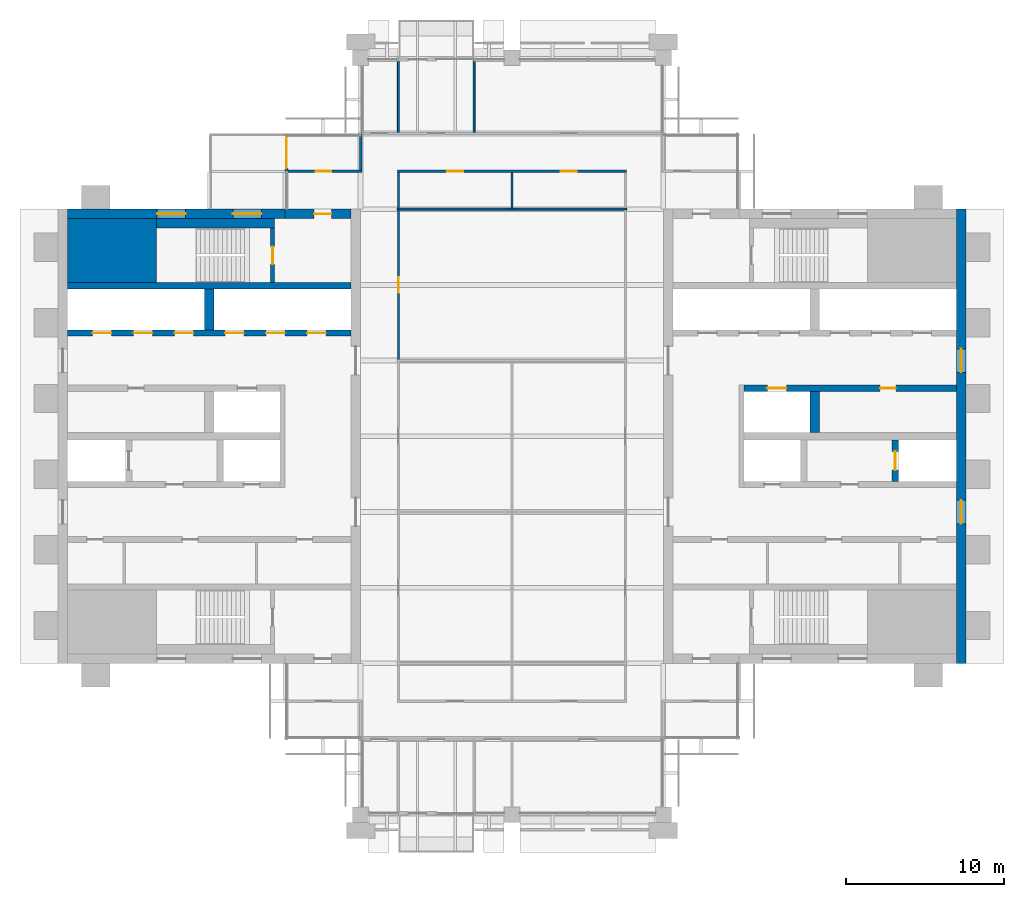
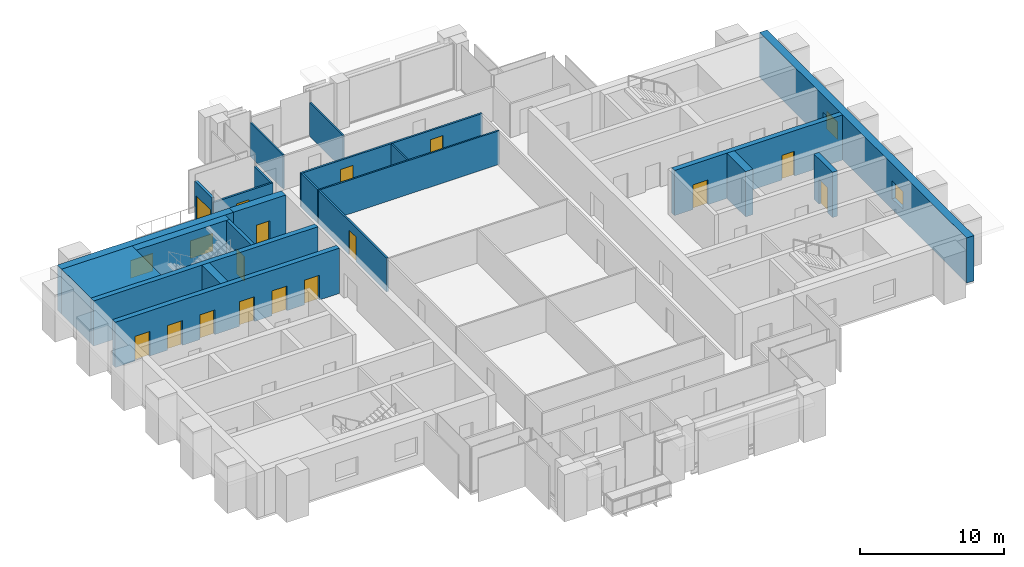
# One storey, part 10 of 14: 22 walls, 16 doors, 4 windows, 20 openings.
"""IFC4 building model written with IfcOpenShell, lengths in metres."""

import ifcopenshell
import ifcopenshell.guid

model = None  # the IFC model being written
_history = None  # IfcOwnerHistory: only IFC2X3 demands one
_inside = {}  # id of a spatial element -> (the spatial element, [elements in it])
_under = {}  # id of a project, library or spatial element -> (it, [spatial elements below it])
_declared = {}  # id of a project -> (the project, [libraries it declares])
_typed = {}  # id of a type object -> (the type object, [elements of that type])
_made_of = {}  # id of a material, layer set ... -> (it, [elements and type objects made of it])


def new_model(schema):
    """Start an empty IFC model of exactly this schema.

    Asked for "IFC4X3", IfcOpenShell would pick the latest addendum, in which some entities
    have other attributes; the version numbers below select the first issue.
    IFC2X3 requires an IfcOwnerHistory on every rooted entity: one is made here for all.
    """
    global model, _history
    if schema == "IFC4X3":
        model = ifcopenshell.file(schema_version=(4, 3, 0, 0))
    else:
        model = ifcopenshell.file(schema=schema)
    _inside.clear()
    _under.clear()
    _declared.clear()
    _typed.clear()
    _made_of.clear()
    _history = None
    if model.schema == "IFC2X3":
        org = make("IfcOrganization", Name="unknown")
        user = make(
            "IfcPersonAndOrganization",
            ThePerson=make("IfcPerson", FamilyName="unknown"),
            TheOrganization=org,
        )
        app = make(
            "IfcApplication",
            ApplicationDeveloper=org,
            Version="unknown",
            ApplicationFullName="unknown",
            ApplicationIdentifier="unknown",
        )
        _history = make(
            "IfcOwnerHistory",
            OwningUser=user,
            OwningApplication=app,
            ChangeAction="ADDED",
            CreationDate=0,
        )
    return model


def make(cls, **values):
    """One entity of the class cls with the attributes given. An attribute that is None is left unset."""
    return model.create_entity(
        cls, **{name: value for name, value in values.items() if value is not None}
    )


def rooted(cls, **values):
    """An entity with a GlobalId (a new one), such as an element, a storey or a relation."""
    return make(cls, GlobalId=ifcopenshell.guid.new(), OwnerHistory=_history, **values)


def si_unit(unit_type, name, prefix=None):
    """IfcSIUnit, for example si_unit("LENGTHUNIT", "METRE", prefix="MILLI")."""
    return make("IfcSIUnit", UnitType=unit_type, Prefix=prefix, Name=name)


def assignment(units):
    """IfcUnitAssignment: the units of a project."""
    return None if units is None else make("IfcUnitAssignment", Units=units)


def point(xyz):
    """IfcCartesianPoint."""
    return None if xyz is None else make("IfcCartesianPoint", Coordinates=xyz)


def direction(xyz):
    """IfcDirection."""
    return None if xyz is None else make("IfcDirection", DirectionRatios=xyz)


def frame(location, z_axis=None, x_axis=None):
    """IfcAxis2Placement3D, a coordinate frame: its origin and axes. An axis left out is left unset."""
    return make(
        "IfcAxis2Placement3D",
        Location=point(location),
        Axis=direction(z_axis),
        RefDirection=direction(x_axis),
    )


def frame_2d(location, x_axis=None):
    """IfcAxis2Placement2D, a coordinate frame in the plane: its origin and x axis."""
    return make(
        "IfcAxis2Placement2D", Location=point(location), RefDirection=direction(x_axis)
    )


def origin():
    """The frame at (0, 0, 0) with its axes left unset."""
    return frame((0.0, 0.0, 0.0))


def place(relative_to, where):
    """IfcLocalPlacement: puts the frame where relative to a parent placement (None: the world)."""
    return make(
        "IfcLocalPlacement", PlacementRelTo=relative_to, RelativePlacement=where
    )


def context(
    kind, dimensions, precision=None, world=None, true_north=None, identifier=None
):
    """IfcGeometricRepresentationContext, for example the 3D "Model" context."""
    return make(
        "IfcGeometricRepresentationContext",
        ContextIdentifier=identifier,
        ContextType=kind,
        CoordinateSpaceDimension=dimensions,
        Precision=precision,
        WorldCoordinateSystem=world,
        TrueNorth=true_north,
    )


def subcontext(parent, identifier, kind, view, scale=None):
    """IfcGeometricRepresentationSubContext, for example "Body" below "Model"."""
    return make(
        "IfcGeometricRepresentationSubContext",
        ContextIdentifier=identifier,
        ContextType=kind,
        ParentContext=parent,
        TargetScale=scale,
        TargetView=view,
    )


def project(units=None, contexts=None):
    """IfcProject with its units and contexts."""
    return rooted(
        "IfcProject",
        Name="project",
        RepresentationContexts=contexts,
        UnitsInContext=assignment(units),
    )


def spatial(cls, under=None, at=None, **own):
    """A site, building, storey or space (cls), placed at a placement, below another one or the project."""
    s = rooted(cls, ObjectPlacement=at, **own)
    if under is not None:
        _under.setdefault(under.id(), (under, []))[1].append(s)
    return s


def profile(cls, at=None, kind="AREA", **sizes):
    """A parametric profile (cls). Its sizes go by their IFC names, for example OverallWidth=200.0."""
    return make(cls, ProfileType=kind, Position=at, **sizes)


def rectangle(**sizes):
    """IfcRectangleProfileDef."""
    return profile("IfcRectangleProfileDef", **sizes)


def extrude(swept, where, along, depth):
    """IfcExtrudedAreaSolid: the profile swept, set in the frame where, extruded along a direction by depth."""
    return make(
        "IfcExtrudedAreaSolid",
        SweptArea=swept,
        Position=where,
        ExtrudedDirection=direction(along),
        Depth=depth,
    )


def shape(context_of_items, identifier, shape_type, items):
    """IfcShapeRepresentation: the items that make up one representation, for example the "Body"."""
    return make(
        "IfcShapeRepresentation",
        ContextOfItems=context_of_items,
        RepresentationIdentifier=identifier,
        RepresentationType=shape_type,
        Items=items,
    )


def material(Name=None, Category=None):
    """IfcMaterial."""
    return make("IfcMaterial", Name=Name, Category=Category)


def layer(
    of_material, thickness, ventilated=None, Name=None, Category=None, Priority=None
):
    """IfcMaterialLayer: one layer of a wall or slab, of a material (None: an air gap)."""
    return make(
        "IfcMaterialLayer",
        Material=of_material,
        LayerThickness=thickness,
        IsVentilated=ventilated,
        Name=Name,
        Category=Category,
        Priority=Priority,
    )


def layer_set(layers, Name=None):
    """IfcMaterialLayerSet."""
    return make("IfcMaterialLayerSet", MaterialLayers=layers, LayerSetName=Name)


def made_of(thing, what):
    """Note that an element or type object is made of a material, layer set ...; save() writes the relation."""
    if what is not None:
        _made_of.setdefault(what.id(), (what, []))[1].append(thing)
    return thing


def type_object(cls, material=None, **own):
    """A type object (cls), such as IfcWallType, which elements share."""
    return made_of(rooted(cls, **own), material)


def element(
    cls,
    number,
    at=None,
    inside=None,
    cuts=None,
    type_object=None,
    material=None,
    context=None,
    identifier="Body",
    shape_type=None,
    held_by="IfcProductDefinitionShape",
    body=None,
    shapes=None,
    **own,
):
    """One element of the class cls, such as IfcWall. Its Tag is "e" and its number.

    at: its placement. inside: the storey or other place that contains it. cuts: it is an
    opening in that element (IfcRelVoidsElement). A single representation is given by context,
    identifier, shape_type and body (its items); several are given by shapes. held_by: the class
    of the entity that holds the representations. save() writes the other relations.
    """
    e = rooted(cls, Tag="e%d" % number, ObjectPlacement=at, **own)
    if body is not None:
        shapes = [shape(context, identifier, shape_type, body)]
    if shapes is not None:
        e.Representation = make(held_by, Representations=shapes)
    if inside is not None:
        _inside.setdefault(inside.id(), (inside, []))[1].append(e)
    if cuts is not None:
        rooted(
            "IfcRelVoidsElement", RelatingBuildingElement=cuts, RelatedOpeningElement=e
        )
    if type_object is not None:
        _typed.setdefault(type_object.id(), (type_object, []))[1].append(e)
    return made_of(e, material)


def fill(opening, filler):
    """IfcRelFillsElement: the door or window that sits in an opening."""
    return rooted(
        "IfcRelFillsElement",
        RelatingOpeningElement=opening,
        RelatedBuildingElement=filler,
    )


def aggregate(whole, parts):
    """IfcRelAggregates: a whole, such as a stair, and the parts it consists of."""
    return rooted("IfcRelAggregates", RelatingObject=whole, RelatedObjects=parts)


def save(model, path):
    """Write the relations noted so far, then the file.

    IfcRelAggregates (storeys below a building ...), IfcRelContainedInSpatialStructure (elements
    in a storey), IfcRelDefinesByType, IfcRelAssociatesMaterial and IfcRelDeclares: one each for
    every whole, place, type object, material and project.
    """
    for whole, parts in _under.values():
        aggregate(whole, parts)
    for where, things in _inside.values():
        rooted(
            "IfcRelContainedInSpatialStructure",
            RelatedElements=things,
            RelatingStructure=where,
        )
    for kind, things in _typed.values():
        rooted("IfcRelDefinesByType", RelatedObjects=things, RelatingType=kind)
    for what, things in _made_of.values():
        rooted("IfcRelAssociatesMaterial", RelatedObjects=things, RelatingMaterial=what)
    for by, libraries in _declared.values():
        rooted("IfcRelDeclares", RelatingContext=by, RelatedDefinitions=libraries)
    model.write(path)


model = new_model("IFC4")

# Units and contexts
model_context = context("Model", 3, precision=1e-05, world=origin(), true_north=direction((0.0, 1.0)))
body_context = subcontext(model_context, "Body", "Model", "MODEL_VIEW")
ifc_project = project(units=[si_unit("LENGTHUNIT", "METRE"), si_unit("AREAUNIT", "SQUARE_METRE"), si_unit("VOLUMEUNIT", "CUBIC_METRE"), si_unit("PLANEANGLEUNIT", "RADIAN"), si_unit("MASSUNIT", "GRAM", prefix="KILO")], contexts=[model_context])

# Site, building, storey
site_placement = place(None, origin())
site = spatial("IfcSite", under=ifc_project, at=site_placement, CompositionType="ELEMENT")
building_placement = place(site_placement, origin())
building = spatial("IfcBuilding", under=site, at=building_placement, Name="Baori Bourse Tower", CompositionType="ELEMENT")
storey_placement = place(building_placement, frame((0.0, 0.0, 290.300048828125)))
storey = spatial("IfcBuildingStorey", under=building, at=storey_placement, Name="L63", CompositionType="ELEMENT", Elevation=290.300048828125)

# Wall
ifc_material_1 = material(Name="Concrete f'c 40 MPa", Category="concrete")
wall_type_1 = type_object("IfcWallType", Name="Core corner block f'c 40", PredefinedType="SHEAR", material=ifc_material_1)
wall_1_placement = place(storey_placement, frame((0.60009765625, 35.77490234375, 0.0), z_axis=(0.0, 0.0, 1.0), x_axis=(1.0, 0.0, 0.0)))
element("IfcWall", 1, at=wall_1_placement, inside=storey, type_object=wall_type_1, Name="Core wall W22", PredefinedType="SHEAR", context=body_context, shape_type="SweptSolid", body=[
    extrude(rectangle(XDim=5.64990234375, YDim=4.050048828125, at=frame_2d((2.824951171875, 0.0))), origin(), (0.0, 0.0, 1.0), 3.83984375),
])

# Wall, openings, windows
ifc_material_2 = material(Name="Concrete f'c 40 MPa", Category="concrete")
ifc_layer_1 = layer(ifc_material_2, 0.60009765625)
ifc_layer_set_1 = layer_set([ifc_layer_1], Name="Core wall 600 f'c 40")
wall_type_2 = type_object("IfcWallType", Name="Core wall 600 f'c 40", PredefinedType="SHEAR", material=ifc_layer_set_1)
wall_2_placement = place(storey_placement, frame((0.60009765625, 38.10009765625, 0.0), z_axis=(0.0, 0.0, 1.0), x_axis=(1.0, 0.0, 0.0)))
wall_2 = element("IfcWall", 2, at=wall_2_placement, inside=storey, type_object=wall_type_2, Name="Core wall W25", PredefinedType="SHEAR", context=body_context, shape_type="SweptSolid", body=[
    extrude(rectangle(XDim=13.7998046875, YDim=0.60009765625, at=frame_2d((6.89990234375, 0.0))), origin(), (0.0, 0.0, 1.0), 3.83984375),
])
opening_1_placement = place(wall_2_placement, frame((5.699951171875, 0.0, 0.89990234375)))
opening_1 = element("IfcOpeningElement", 3, at=opening_1_placement, cuts=wall_2, Name="Opening L63-KW105", PredefinedType="OPENING", context=body_context, shape_type="SweptSolid", body=[
    extrude(rectangle(XDim=1.800048828125, YDim=1.5, at=frame_2d((0.89990234375, 0.75))), frame((0.0, 0.31005859375, 0.0), z_axis=(0.0, -1.0, 0.0), x_axis=(1.0, 0.0, 0.0)), (0.0, 0.0, 1.0), 0.6201171875),
])
opening_2_placement = place(wall_2_placement, frame((10.5, 0.0, 0.89990234375)))
opening_2 = element("IfcOpeningElement", 4, at=opening_2_placement, cuts=wall_2, Name="Opening L63-KW106", PredefinedType="OPENING", context=body_context, shape_type="SweptSolid", body=[
    extrude(rectangle(XDim=1.800048828125, YDim=1.5, at=frame_2d((0.89990234375, 0.75))), frame((0.0, 0.31005859375, 0.0), z_axis=(0.0, -1.0, 0.0), x_axis=(1.0, 0.0, 0.0)), (0.0, 0.0, 1.0), 0.6201171875),
])
ifc_material_3 = material(Name="Pale anodised aluminium", Category="aluminium")
window_type_1 = type_object("IfcWindowType", Name="Stair window 1800 x 1500", PartitioningType="SINGLE_PANEL", PredefinedType="WINDOW", material=ifc_material_3)
window_1_placement = place(opening_1_placement, origin())
window_1 = element("IfcWindow", 5, at=window_1_placement, inside=storey, type_object=window_type_1, Name="Stair window W L63 5", OverallHeight=1.5, OverallWidth=1.800048828125, PartitioningType="SINGLE_PANEL", PredefinedType="WINDOW", context=body_context, shape_type="SweptSolid", body=[
    extrude(rectangle(XDim=1.800048828125, YDim=1.5, at=frame_2d((0.89990234375, 0.75))), frame((0.0, 0.030029296875, 0.0), z_axis=(0.0, -1.0, 0.0), x_axis=(1.0, 0.0, 0.0)), (0.0, 0.0, 1.0), 0.06005859375),
])
fill(opening_1, window_1)
window_2_placement = place(opening_2_placement, origin())
window_2 = element("IfcWindow", 6, at=window_2_placement, inside=storey, type_object=window_type_1, Name="Stair window W L63 6", OverallHeight=1.5, OverallWidth=1.800048828125, PartitioningType="SINGLE_PANEL", PredefinedType="WINDOW", context=body_context, shape_type="SweptSolid", body=[
    extrude(rectangle(XDim=1.800048828125, YDim=1.5, at=frame_2d((0.89990234375, 0.75))), frame((0.0, 0.030029296875, 0.0), z_axis=(0.0, -1.0, 0.0), x_axis=(1.0, 0.0, 0.0)), (0.0, 0.0, 1.0), 0.06005859375),
])
fill(opening_2, window_2)

# Wall, opening, door
wall_3_placement = place(storey_placement, frame((14.39990234375, 38.10009765625, 0.0), z_axis=(0.0, 0.0, 1.0), x_axis=(1.0, 0.0, 0.0)))
wall_3 = element("IfcWall", 7, at=wall_3_placement, inside=storey, type_object=wall_type_2, Name="Core wall W26", PredefinedType="SHEAR", context=body_context, shape_type="SweptSolid", body=[
    extrude(rectangle(XDim=4.2001953125, YDim=0.60009765625, at=frame_2d((2.10009765625, 0.0))), origin(), (0.0, 0.0, 1.0), 3.83984375),
])
opening_3_placement = place(wall_3_placement, frame((1.85009765625, 0.0, 0.0)))
opening_3 = element("IfcOpeningElement", 8, at=opening_3_placement, cuts=wall_3, Name="Opening L63-D104", PredefinedType="OPENING", context=body_context, shape_type="SweptSolid", body=[
    extrude(rectangle(XDim=1.10009765625, YDim=2.10009765625, at=frame_2d((0.550048828125, 1.050048828125))), frame((0.0, 0.31005859375, 0.0), z_axis=(0.0, -1.0, 0.0), x_axis=(1.0, 0.0, 0.0)), (0.0, 0.0, 1.0), 0.6201171875),
])
ifc_material_4 = material(Name="Painted steel door", Category="steel")
door_type_1 = type_object("IfcDoorType", Name="Stair door 1100", OperationType="SINGLE_SWING_LEFT", PredefinedType="DOOR", material=ifc_material_4)
door_1_placement = place(opening_3_placement, origin())
door_1 = element("IfcDoor", 9, at=door_1_placement, inside=storey, type_object=door_type_1, Name="Stair vestibule door B W L63", OperationType="SINGLE_SWING_LEFT", OverallHeight=2.10009765625, OverallWidth=1.10009765625, PredefinedType="DOOR", context=body_context, shape_type="SweptSolid", body=[
    extrude(rectangle(XDim=1.10009765625, YDim=2.10009765625, at=frame_2d((0.550048828125, 1.050048828125))), frame((0.0, 0.02490234375, 0.0), z_axis=(0.0, -1.0, 0.0), x_axis=(1.0, 0.0, 0.0)), (0.0, 0.0, 1.0), 0.050048828125),
])
fill(opening_3, door_1)

# Wall, openings, windows
wall_4_placement = place(storey_placement, frame((57.300048828125, 38.39990234375, 0.0), z_axis=(0.0, 0.0, 1.0), x_axis=(0.0, -1.0, 0.0)))
wall_4 = element("IfcWall", 10, at=wall_4_placement, inside=storey, type_object=wall_type_2, Name="Core wall E01", PredefinedType="SHEAR", context=body_context, shape_type="SweptSolid", body=[
    extrude(rectangle(XDim=28.7998046875, YDim=0.60009765625, at=frame_2d((14.39990234375, 0.0))), origin(), (0.0, 0.0, 1.0), 3.83984375),
])
opening_4_placement = place(wall_4_placement, frame((18.449951171875, 0.0, 0.89990234375)))
opening_4 = element("IfcOpeningElement", 11, at=opening_4_placement, cuts=wall_4, Name="Opening L63-KW201", PredefinedType="OPENING", context=body_context, shape_type="SweptSolid", body=[
    extrude(rectangle(XDim=1.5, YDim=1.5, at=frame_2d((0.75, 0.75))), frame((0.0, 0.31005859375, 0.0), z_axis=(0.0, -1.0, 0.0), x_axis=(1.0, 0.0, 0.0)), (0.0, 0.0, 1.0), 0.6201171875),
])
opening_5_placement = place(wall_4_placement, frame((8.85009765625, 0.0, 0.89990234375)))
opening_5 = element("IfcOpeningElement", 12, at=opening_5_placement, cuts=wall_4, Name="Opening L63-KW202", PredefinedType="OPENING", context=body_context, shape_type="SweptSolid", body=[
    extrude(rectangle(XDim=1.5, YDim=1.5, at=frame_2d((0.75, 0.75))), frame((0.0, 0.31005859375, 0.0), z_axis=(0.0, -1.0, 0.0), x_axis=(1.0, 0.0, 0.0)), (0.0, 0.0, 1.0), 0.6201171875),
])
ifc_material_5 = material(Name="Pale anodised aluminium", Category="aluminium")
window_type_2 = type_object("IfcWindowType", Name="Lobby window 1500 x 1500", PartitioningType="SINGLE_PANEL", PredefinedType="WINDOW", material=ifc_material_5)
window_3_placement = place(opening_4_placement, origin())
window_3 = element("IfcWindow", 13, at=window_3_placement, inside=storey, type_object=window_type_2, Name="Outer wall window E L63 1", OverallHeight=1.5, OverallWidth=1.5, PartitioningType="SINGLE_PANEL", PredefinedType="WINDOW", context=body_context, shape_type="SweptSolid", body=[
    extrude(rectangle(XDim=1.5, YDim=1.5, at=frame_2d((0.75, 0.75))), frame((0.0, 0.030029296875, 0.0), z_axis=(0.0, -1.0, 0.0), x_axis=(1.0, 0.0, 0.0)), (0.0, 0.0, 1.0), 0.06005859375),
])
fill(opening_4, window_3)
window_4_placement = place(opening_5_placement, origin())
window_4 = element("IfcWindow", 14, at=window_4_placement, inside=storey, type_object=window_type_2, Name="Outer wall window E L63 2", OverallHeight=1.5, OverallWidth=1.5, PartitioningType="SINGLE_PANEL", PredefinedType="WINDOW", context=body_context, shape_type="SweptSolid", body=[
    extrude(rectangle(XDim=1.5, YDim=1.5, at=frame_2d((0.75, 0.75))), frame((0.0, 0.030029296875, 0.0), z_axis=(0.0, -1.0, 0.0), x_axis=(1.0, 0.0, 0.0)), (0.0, 0.0, 1.0), 0.06005859375),
])
fill(opening_5, window_4)

# Wall, opening, door
ifc_material_6 = material(Name="Gypsum board partition")
ifc_layer_2 = layer(ifc_material_6, 0.14990234375)
ifc_layer_set_2 = layer_set([ifc_layer_2], Name="Corridor partition 150")
wall_type_3 = type_object("IfcWallType", Name="Corridor partition 150", PredefinedType="PARTITIONING", material=ifc_layer_set_2)
wall_5_placement = place(storey_placement, frame((14.5, 40.800048828125, 0.0), z_axis=(0.0, 0.0, 1.0), x_axis=(1.0, 0.0, 0.0)))
wall_5 = element("IfcWall", 15, at=wall_5_placement, inside=storey, type_object=wall_type_3, Name="Partition", PredefinedType="PARTITIONING", context=body_context, shape_type="SweptSolid", body=[
    extrude(rectangle(XDim=4.77490234375, YDim=0.14990234375, at=frame_2d((2.387451171875, 0.0))), origin(), (0.0, 0.0, 1.0), 2.86962890625),
])
opening_6_placement = place(wall_5_placement, frame((1.85009765625, 0.0, 0.0)))
opening_6 = element("IfcOpeningElement", 16, at=opening_6_placement, cuts=wall_5, Name="Opening L63-D09", PredefinedType="OPENING", context=body_context, shape_type="SweptSolid", body=[
    extrude(rectangle(XDim=1.0, YDim=2.10009765625, at=frame_2d((0.5, 1.050048828125))), frame((0.0, 0.0849609375, 0.0), z_axis=(0.0, -1.0, 0.0), x_axis=(1.0, 0.0, 0.0)), (0.0, 0.0, 1.0), 0.169921875),
])
ifc_material_7 = material(Name="Timber door leaf", Category="wood")
door_type_2 = type_object("IfcDoorType", Name="Door 1000 x 2100", OperationType="SINGLE_SWING_LEFT", PredefinedType="DOOR", material=ifc_material_7)
door_2_placement = place(opening_6_placement, origin())
door_2 = element("IfcDoor", 17, at=door_2_placement, inside=storey, type_object=door_type_2, Name="Door", OperationType="SINGLE_SWING_RIGHT", OverallHeight=2.10009765625, OverallWidth=1.0, PredefinedType="DOOR", context=body_context, shape_type="SweptSolid", body=[
    extrude(rectangle(XDim=1.0, YDim=2.10009765625, at=frame_2d((0.5, 1.050048828125))), frame((0.0, 0.02490234375, 0.0), z_axis=(0.0, -1.0, 0.0), x_axis=(1.0, 0.0, 0.0)), (0.0, 0.0, 1.0), 0.050048828125),
])
fill(opening_6, door_2)

# Wall, openings, doors
wall_6_placement = place(storey_placement, frame((21.52490234375, 40.800048828125, 0.0), z_axis=(0.0, 0.0, 1.0), x_axis=(1.0, 0.0, 0.0)))
wall_6 = element("IfcWall", 18, at=wall_6_placement, inside=storey, type_object=wall_type_3, Name="Partition", PredefinedType="PARTITIONING", context=body_context, shape_type="SweptSolid", body=[
    extrude(rectangle(XDim=14.550048828125, YDim=0.14990234375, at=frame_2d((7.27490234375, 0.0))), origin(), (0.0, 0.0, 1.0), 2.86962890625),
])
opening_7_placement = place(wall_6_placement, frame((3.175048828125, 0.0, 0.0)))
opening_7 = element("IfcOpeningElement", 19, at=opening_7_placement, cuts=wall_6, Name="Opening L63-D10", PredefinedType="OPENING", context=body_context, shape_type="SweptSolid", body=[
    extrude(rectangle(XDim=1.0, YDim=2.10009765625, at=frame_2d((0.5, 1.050048828125))), frame((0.0, 0.0849609375, 0.0), z_axis=(0.0, -1.0, 0.0), x_axis=(1.0, 0.0, 0.0)), (0.0, 0.0, 1.0), 0.169921875),
])
opening_8_placement = place(wall_6_placement, frame((10.375, 0.0, 0.0)))
opening_8 = element("IfcOpeningElement", 20, at=opening_8_placement, cuts=wall_6, Name="Opening L63-D11", PredefinedType="OPENING", context=body_context, shape_type="SweptSolid", body=[
    extrude(rectangle(XDim=1.0, YDim=2.10009765625, at=frame_2d((0.5, 1.050048828125))), frame((0.0, 0.0849609375, 0.0), z_axis=(0.0, -1.0, 0.0), x_axis=(1.0, 0.0, 0.0)), (0.0, 0.0, 1.0), 0.169921875),
])
door_3_placement = place(opening_7_placement, origin())
door_3 = element("IfcDoor", 21, at=door_3_placement, inside=storey, type_object=door_type_2, Name="Door", OperationType="SINGLE_SWING_LEFT", OverallHeight=2.10009765625, OverallWidth=1.0, PredefinedType="DOOR", context=body_context, shape_type="SweptSolid", body=[
    extrude(rectangle(XDim=1.0, YDim=2.10009765625, at=frame_2d((0.5, 1.050048828125))), frame((0.0, 0.02490234375, 0.0), z_axis=(0.0, -1.0, 0.0), x_axis=(1.0, 0.0, 0.0)), (0.0, 0.0, 1.0), 0.050048828125),
])
fill(opening_7, door_3)
door_4_placement = place(opening_8_placement, origin())
door_4 = element("IfcDoor", 22, at=door_4_placement, inside=storey, type_object=door_type_2, Name="Door", OperationType="SINGLE_SWING_RIGHT", OverallHeight=2.10009765625, OverallWidth=1.0, PredefinedType="DOOR", context=body_context, shape_type="SweptSolid", body=[
    extrude(rectangle(XDim=1.0, YDim=2.10009765625, at=frame_2d((0.5, 1.050048828125))), frame((0.0, 0.02490234375, 0.0), z_axis=(0.0, -1.0, 0.0), x_axis=(1.0, 0.0, 0.0)), (0.0, 0.0, 1.0), 0.050048828125),
])
fill(opening_8, door_4)

# Wall
wall_7_placement = place(storey_placement, frame((19.199951171875, 40.875, 0.0), z_axis=(0.0, 0.0, 1.0), x_axis=(0.0, 1.0, 0.0)))
element("IfcWall", 23, at=wall_7_placement, inside=storey, type_object=wall_type_3, Name="Partition", PredefinedType="PARTITIONING", context=body_context, shape_type="SweptSolid", body=[
    extrude(rectangle(XDim=2.25, YDim=0.14990234375, at=frame_2d((1.125, 0.0))), origin(), (0.0, 0.0, 1.0), 2.86962890625),
])

# Wall, opening, door
wall_8_placement = place(storey_placement, frame((21.60009765625, 28.862548828125, 0.0), z_axis=(0.0, 0.0, 1.0), x_axis=(0.0, 1.0, 0.0)))
wall_8 = element("IfcWall", 24, at=wall_8_placement, inside=storey, type_object=wall_type_3, Name="Partition", PredefinedType="PARTITIONING", context=body_context, shape_type="SweptSolid", body=[
    extrude(rectangle(XDim=9.474853515625, YDim=0.14990234375, at=frame_2d((4.7373046875, 0.0))), origin(), (0.0, 0.0, 1.0), 2.86962890625),
])
opening_9_placement = place(wall_8_placement, frame((4.237548828125, 0.0, 0.0)))
opening_9 = element("IfcOpeningElement", 25, at=opening_9_placement, cuts=wall_8, Name="Opening L63-D18", PredefinedType="OPENING", context=body_context, shape_type="SweptSolid", body=[
    extrude(rectangle(XDim=1.0, YDim=2.10009765625, at=frame_2d((0.5, 1.050048828125))), frame((0.0, 0.0849609375, 0.0), z_axis=(0.0, -1.0, 0.0), x_axis=(1.0, 0.0, 0.0)), (0.0, 0.0, 1.0), 0.169921875),
])
door_5_placement = place(opening_9_placement, origin())
door_5 = element("IfcDoor", 26, at=door_5_placement, inside=storey, type_object=door_type_2, Name="Door", OperationType="SINGLE_SWING_RIGHT", OverallHeight=2.10009765625, OverallWidth=1.0, PredefinedType="DOOR", context=body_context, shape_type="SweptSolid", body=[
    extrude(rectangle(XDim=1.0, YDim=2.10009765625, at=frame_2d((0.5, 1.050048828125))), frame((0.0, 0.02490234375, 0.0), z_axis=(0.0, -1.0, 0.0), x_axis=(1.0, 0.0, 0.0)), (0.0, 0.0, 1.0), 0.050048828125),
])
fill(opening_9, door_5)

# Wall
wall_9_placement = place(storey_placement, frame((21.60009765625, 38.46240234375, 0.0), z_axis=(0.0, 0.0, 1.0), x_axis=(0.0, 1.0, 0.0)))
element("IfcWall", 27, at=wall_9_placement, inside=storey, type_object=wall_type_3, Name="Partition", PredefinedType="PARTITIONING", context=body_context, shape_type="SweptSolid", body=[
    extrude(rectangle(XDim=2.2626953125, YDim=0.14990234375, at=frame_2d((1.13134765625, 0.0))), origin(), (0.0, 0.0, 1.0), 2.86962890625),
])

# Wall, opening, door
ifc_material_8 = material(Name="Pale anodised aluminium", Category="aluminium")
ifc_layer_3 = layer(ifc_material_8, 0.199951171875)
ifc_layer_set_3 = layer_set([ifc_layer_3], Name="EW1 External wall bay")
wall_type_4 = type_object("IfcWallType", Name="EW1 External wall bay", PredefinedType="SOLIDWALL", material=ifc_layer_set_3)
wall_10_placement = place(storey_placement, frame((14.5, 43.199951171875, 0.0), z_axis=(0.0, 0.0, 1.0), x_axis=(0.0, -1.0, 0.0)))
wall_10 = element("IfcWall", 28, at=wall_10_placement, inside=storey, type_object=wall_type_4, Name="External wall bay L63 2", PredefinedType="SOLIDWALL", context=body_context, shape_type="SweptSolid", body=[
    extrude(rectangle(XDim=2.39990234375, YDim=0.199951171875, at=frame_2d((1.199951171875, 0.0))), origin(), (0.0, 0.0, 1.0), 3.238037109375),
])
opening_10_placement = place(wall_10_placement, frame((0.199951171875, 0.0, 0.0)))
opening_10 = element("IfcOpeningElement", 29, at=opening_10_placement, cuts=wall_10, Name="Opening L63-D92", PredefinedType="OPENING", context=body_context, shape_type="SweptSolid", body=[
    extrude(rectangle(XDim=2.0, YDim=2.10009765625, at=frame_2d((1.0, 1.050048828125))), frame((0.0, 0.10986328125, 0.0), z_axis=(0.0, -1.0, 0.0), x_axis=(1.0, 0.0, 0.0)), (0.0, 0.0, 1.0), 0.219970703125),
])
ifc_material_9 = material(Name="Pale anodised aluminium", Category="aluminium")
door_type_3 = type_object("IfcDoorType", Name="TR1 Terrace door", OperationType="DOUBLE_DOOR_SINGLE_SWING", PredefinedType="DOOR", material=ifc_material_9)
door_6_placement = place(opening_10_placement, origin())
door_6 = element("IfcDoor", 30, at=door_6_placement, inside=storey, type_object=door_type_3, Name="Terrace door L63 2", OperationType="SINGLE_SWING_LEFT", OverallHeight=2.10009765625, OverallWidth=2.0, PredefinedType="DOOR", context=body_context, shape_type="SweptSolid", body=[
    extrude(rectangle(XDim=2.0, YDim=2.10009765625, at=frame_2d((1.0, 1.050048828125))), frame((0.0, 0.02490234375, 0.0), z_axis=(0.0, -1.0, 0.0), x_axis=(1.0, 0.0, 0.0)), (0.0, 0.0, 1.0), 0.050048828125),
])
fill(opening_10, door_6)

# Walls
ifc_material_10 = material(Name="Gypsum board partition")
ifc_layer_4 = layer(ifc_material_10, 0.125)
ifc_layer_set_4 = layer_set([ifc_layer_4], Name="Partition 125")
wall_type_5 = type_object("IfcWallType", Name="Partition 125", PredefinedType="PARTITIONING", material=ifc_layer_set_4)
wall_11_placement = place(storey_placement, frame((21.52490234375, 38.39990234375, 0.0), z_axis=(0.0, 0.0, 1.0), x_axis=(1.0, 0.0, 0.0)))
element("IfcWall", 31, at=wall_11_placement, inside=storey, type_object=wall_type_5, Name="Partition", PredefinedType="PARTITIONING", context=body_context, shape_type="SweptSolid", body=[
    extrude(rectangle(XDim=14.550048828125, YDim=0.125, at=frame_2d((7.27490234375, 0.0))), origin(), (0.0, 0.0, 1.0), 2.86962890625),
])
for number, where, z_axis, x_axis, name in (
    (32, (21.60009765625, 43.27490234375, 0.0), (0.0, 0.0, 1.0), (0.0, 1.0, 0.0), "Partition"),
    (33, (26.39990234375, 43.27490234375, 0.0), (0.0, 0.0, 1.0), (0.0, 1.0, 0.0), "Partition"),
):
    element("IfcWall", number, at=place(storey_placement, frame(where, z_axis=z_axis, x_axis=x_axis)), inside=storey, type_object=wall_type_5, Name=name, PredefinedType="PARTITIONING", context=body_context, shape_type="SweptSolid", body=[
        extrude(rectangle(XDim=4.625, YDim=0.125, at=frame_2d((2.3125, 0.0))), origin(), (0.0, 0.0, 1.0), 2.86962890625),
    ])
wall_12_placement = place(storey_placement, frame((28.800048828125, 38.46240234375, 0.0), z_axis=(0.0, 0.0, 1.0), x_axis=(0.0, 1.0, 0.0)))
element("IfcWall", 34, at=wall_12_placement, inside=storey, type_object=wall_type_5, Name="Partition", PredefinedType="PARTITIONING", context=body_context, shape_type="SweptSolid", body=[
    extrude(rectangle(XDim=2.2626953125, YDim=0.125, at=frame_2d((1.13134765625, 0.0))), origin(), (0.0, 0.0, 1.0), 2.86962890625),
])

# Wall, opening, door
ifc_material_11 = material(Name="Concrete f'c 40 MPa", Category="concrete")
ifc_layer_5 = layer(ifc_material_11, 0.25)
ifc_layer_set_5 = layer_set([ifc_layer_5], Name="Shaft wall 250 f'c 40")
wall_type_6 = type_object("IfcWallType", Name="Shaft wall 250 f'c 40", PredefinedType="SHEAR", material=ifc_layer_set_5)
wall_13_placement = place(storey_placement, frame((13.625, 33.75, 0.0), z_axis=(0.0, 0.0, 1.0), x_axis=(0.0, 1.0, 0.0)))
wall_13 = element("IfcWall", 35, at=wall_13_placement, inside=storey, type_object=wall_type_6, Name="Core wall W23", PredefinedType="SHEAR", context=body_context, shape_type="SweptSolid", body=[
    extrude(rectangle(XDim=3.449951171875, YDim=0.25, at=frame_2d((1.72509765625, 0.0))), origin(), (0.0, 0.0, 1.0), 3.83984375),
])
opening_11_placement = place(wall_13_placement, frame((1.175048828125, 0.0, 0.0)))
opening_11 = element("IfcOpeningElement", 36, at=opening_11_placement, cuts=wall_13, Name="Opening L63-D103", PredefinedType="OPENING", context=body_context, shape_type="SweptSolid", body=[
    extrude(rectangle(XDim=1.10009765625, YDim=2.10009765625, at=frame_2d((0.550048828125, 1.050048828125))), frame((0.0, 0.135009765625, 0.0), z_axis=(0.0, -1.0, 0.0), x_axis=(1.0, 0.0, 0.0)), (0.0, 0.0, 1.0), 0.27001953125),
])
door_7_placement = place(opening_11_placement, origin())
door_7 = element("IfcDoor", 37, at=door_7_placement, inside=storey, type_object=door_type_1, Name="Stair door B W L63", OperationType="SINGLE_SWING_LEFT", OverallHeight=2.10009765625, OverallWidth=1.10009765625, PredefinedType="DOOR", context=body_context, shape_type="SweptSolid", body=[
    extrude(rectangle(XDim=1.10009765625, YDim=2.10009765625, at=frame_2d((0.550048828125, 1.050048828125))), frame((0.0, 0.02490234375, 0.0), z_axis=(0.0, -1.0, 0.0), x_axis=(1.0, 0.0, 0.0)), (0.0, 0.0, 1.0), 0.050048828125),
])
fill(opening_11, door_7)

# Wall, openings, doors
ifc_material_12 = material(Name="Concrete f'c 40 MPa", Category="concrete")
ifc_layer_6 = layer(ifc_material_12, 0.39990234375)
ifc_layer_set_6 = layer_set([ifc_layer_6], Name="Shaft wall 400 f'c 40")
wall_type_7 = type_object("IfcWallType", Name="Shaft wall 400 f'c 40", PredefinedType="SHEAR", material=ifc_layer_set_6)
wall_14_placement = place(storey_placement, frame((0.60009765625, 30.550048828125, 0.0), z_axis=(0.0, 0.0, 1.0), x_axis=(1.0, 0.0, 0.0)))
wall_14 = element("IfcWall", 38, at=wall_14_placement, inside=storey, type_object=wall_type_7, Name="Core wall W19", PredefinedType="SHEAR", context=body_context, shape_type="SweptSolid", body=[
    extrude(rectangle(XDim=18.0, YDim=0.39990234375, at=frame_2d((9.0, 0.0))), origin(), (0.0, 0.0, 1.0), 3.83984375),
])
opening_12_placement = place(wall_14_placement, frame((1.60009765625, 0.0, 0.0)))
opening_12 = element("IfcOpeningElement", 39, at=opening_12_placement, cuts=wall_14, Name="Opening L63-D113", PredefinedType="OPENING", context=body_context, shape_type="SweptSolid", body=[
    extrude(rectangle(XDim=1.199951171875, YDim=2.10009765625, at=frame_2d((0.60009765625, 1.050048828125))), frame((0.0, 0.2099609375, 0.0), z_axis=(0.0, -1.0, 0.0), x_axis=(1.0, 0.0, 0.0)), (0.0, 0.0, 1.0), 0.419921875),
])
opening_13_placement = place(wall_14_placement, frame((4.199951171875, 0.0, 0.0)))
opening_13 = element("IfcOpeningElement", 40, at=opening_13_placement, cuts=wall_14, Name="Opening L63-D114", PredefinedType="OPENING", context=body_context, shape_type="SweptSolid", body=[
    extrude(rectangle(XDim=1.199951171875, YDim=2.10009765625, at=frame_2d((0.60009765625, 1.050048828125))), frame((0.0, 0.2099609375, 0.0), z_axis=(0.0, -1.0, 0.0), x_axis=(1.0, 0.0, 0.0)), (0.0, 0.0, 1.0), 0.419921875),
])
opening_14_placement = place(wall_14_placement, frame((6.800048828125, 0.0, 0.0)))
opening_14 = element("IfcOpeningElement", 41, at=opening_14_placement, cuts=wall_14, Name="Opening L63-D115", PredefinedType="OPENING", context=body_context, shape_type="SweptSolid", body=[
    extrude(rectangle(XDim=1.199951171875, YDim=2.10009765625, at=frame_2d((0.60009765625, 1.050048828125))), frame((0.0, 0.2099609375, 0.0), z_axis=(0.0, -1.0, 0.0), x_axis=(1.0, 0.0, 0.0)), (0.0, 0.0, 1.0), 0.419921875),
])
opening_15_placement = place(wall_14_placement, frame((10.0, 0.0, 0.0)))
opening_15 = element("IfcOpeningElement", 42, at=opening_15_placement, cuts=wall_14, Name="Opening L63-D116", PredefinedType="OPENING", context=body_context, shape_type="SweptSolid", body=[
    extrude(rectangle(XDim=1.199951171875, YDim=2.10009765625, at=frame_2d((0.60009765625, 1.050048828125))), frame((0.0, 0.2099609375, 0.0), z_axis=(0.0, -1.0, 0.0), x_axis=(1.0, 0.0, 0.0)), (0.0, 0.0, 1.0), 0.419921875),
])
opening_16_placement = place(wall_14_placement, frame((12.60009765625, 0.0, 0.0)))
opening_16 = element("IfcOpeningElement", 43, at=opening_16_placement, cuts=wall_14, Name="Opening L63-D117", PredefinedType="OPENING", context=body_context, shape_type="SweptSolid", body=[
    extrude(rectangle(XDim=1.199951171875, YDim=2.10009765625, at=frame_2d((0.60009765625, 1.050048828125))), frame((0.0, 0.2099609375, 0.0), z_axis=(0.0, -1.0, 0.0), x_axis=(1.0, 0.0, 0.0)), (0.0, 0.0, 1.0), 0.419921875),
])
opening_17_placement = place(wall_14_placement, frame((15.199951171875, 0.0, 0.0)))
opening_17 = element("IfcOpeningElement", 44, at=opening_17_placement, cuts=wall_14, Name="Opening L63-D118", PredefinedType="OPENING", context=body_context, shape_type="SweptSolid", body=[
    extrude(rectangle(XDim=1.199951171875, YDim=2.10009765625, at=frame_2d((0.60009765625, 1.050048828125))), frame((0.0, 0.2099609375, 0.0), z_axis=(0.0, -1.0, 0.0), x_axis=(1.0, 0.0, 0.0)), (0.0, 0.0, 1.0), 0.419921875),
])
ifc_material_13 = material(Name="Stainless steel door", Category="steel")
door_type_4 = type_object("IfcDoorType", Name="Lift landing door", OperationType="DOUBLE_DOOR_SLIDING", PredefinedType="DOOR", material=ifc_material_13)
door_8_placement = place(opening_12_placement, origin())
door_8 = element("IfcDoor", 45, at=door_8_placement, inside=storey, type_object=door_type_4, Name="Lift landing door HR1 W L63", OperationType="DOUBLE_DOOR_SLIDING", OverallHeight=2.10009765625, OverallWidth=1.199951171875, PredefinedType="DOOR", context=body_context, shape_type="SweptSolid", body=[
    extrude(rectangle(XDim=1.199951171875, YDim=2.10009765625, at=frame_2d((0.60009765625, 1.050048828125))), frame((0.0, 0.02490234375, 0.0), z_axis=(0.0, -1.0, 0.0), x_axis=(1.0, 0.0, 0.0)), (0.0, 0.0, 1.0), 0.050048828125),
])
fill(opening_12, door_8)
door_9_placement = place(opening_13_placement, origin())
door_9 = element("IfcDoor", 46, at=door_9_placement, inside=storey, type_object=door_type_4, Name="Lift landing door HR2 W L63", OperationType="DOUBLE_DOOR_SLIDING", OverallHeight=2.10009765625, OverallWidth=1.199951171875, PredefinedType="DOOR", context=body_context, shape_type="SweptSolid", body=[
    extrude(rectangle(XDim=1.199951171875, YDim=2.10009765625, at=frame_2d((0.60009765625, 1.050048828125))), frame((0.0, 0.02490234375, 0.0), z_axis=(0.0, -1.0, 0.0), x_axis=(1.0, 0.0, 0.0)), (0.0, 0.0, 1.0), 0.050048828125),
])
fill(opening_13, door_9)
door_10_placement = place(opening_14_placement, origin())
door_10 = element("IfcDoor", 47, at=door_10_placement, inside=storey, type_object=door_type_4, Name="Lift landing door HR3 W L63", OperationType="DOUBLE_DOOR_SLIDING", OverallHeight=2.10009765625, OverallWidth=1.199951171875, PredefinedType="DOOR", context=body_context, shape_type="SweptSolid", body=[
    extrude(rectangle(XDim=1.199951171875, YDim=2.10009765625, at=frame_2d((0.60009765625, 1.050048828125))), frame((0.0, 0.02490234375, 0.0), z_axis=(0.0, -1.0, 0.0), x_axis=(1.0, 0.0, 0.0)), (0.0, 0.0, 1.0), 0.050048828125),
])
fill(opening_14, door_10)
door_11_placement = place(opening_15_placement, origin())
door_11 = element("IfcDoor", 48, at=door_11_placement, inside=storey, type_object=door_type_4, Name="Lift landing door HR4 W L63", OperationType="DOUBLE_DOOR_SLIDING", OverallHeight=2.10009765625, OverallWidth=1.199951171875, PredefinedType="DOOR", context=body_context, shape_type="SweptSolid", body=[
    extrude(rectangle(XDim=1.199951171875, YDim=2.10009765625, at=frame_2d((0.60009765625, 1.050048828125))), frame((0.0, 0.02490234375, 0.0), z_axis=(0.0, -1.0, 0.0), x_axis=(1.0, 0.0, 0.0)), (0.0, 0.0, 1.0), 0.050048828125),
])
fill(opening_15, door_11)
door_12_placement = place(opening_16_placement, origin())
door_12 = element("IfcDoor", 49, at=door_12_placement, inside=storey, type_object=door_type_4, Name="Lift landing door HR5 W L63", OperationType="DOUBLE_DOOR_SLIDING", OverallHeight=2.10009765625, OverallWidth=1.199951171875, PredefinedType="DOOR", context=body_context, shape_type="SweptSolid", body=[
    extrude(rectangle(XDim=1.199951171875, YDim=2.10009765625, at=frame_2d((0.60009765625, 1.050048828125))), frame((0.0, 0.02490234375, 0.0), z_axis=(0.0, -1.0, 0.0), x_axis=(1.0, 0.0, 0.0)), (0.0, 0.0, 1.0), 0.050048828125),
])
fill(opening_16, door_12)
door_13_placement = place(opening_17_placement, origin())
door_13 = element("IfcDoor", 50, at=door_13_placement, inside=storey, type_object=door_type_4, Name="Lift landing door HR6 W L63", OperationType="DOUBLE_DOOR_SLIDING", OverallHeight=2.10009765625, OverallWidth=1.199951171875, PredefinedType="DOOR", context=body_context, shape_type="SweptSolid", body=[
    extrude(rectangle(XDim=1.199951171875, YDim=2.10009765625, at=frame_2d((0.60009765625, 1.050048828125))), frame((0.0, 0.02490234375, 0.0), z_axis=(0.0, -1.0, 0.0), x_axis=(1.0, 0.0, 0.0)), (0.0, 0.0, 1.0), 0.050048828125),
])
fill(opening_17, door_13)

# Wall
wall_15_placement = place(storey_placement, frame((0.60009765625, 33.550048828125, 0.0), z_axis=(0.0, 0.0, 1.0), x_axis=(1.0, 0.0, 0.0)))
element("IfcWall", 51, at=wall_15_placement, inside=storey, type_object=wall_type_7, Name="Core wall W21", PredefinedType="SHEAR", context=body_context, shape_type="SweptSolid", body=[
    extrude(rectangle(XDim=18.0, YDim=0.39990234375, at=frame_2d((9.0, 0.0))), origin(), (0.0, 0.0, 1.0), 3.83984375),
])

# Wall, opening, door
wall_16_placement = place(storey_placement, frame((53.10009765625, 21.14990234375, 0.0), z_axis=(0.0, 0.0, 1.0), x_axis=(0.0, 1.0, 0.0)))
wall_16 = element("IfcWall", 52, at=wall_16_placement, inside=storey, type_object=wall_type_7, Name="Core wall E14", PredefinedType="SHEAR", context=body_context, shape_type="SweptSolid", body=[
    extrude(rectangle(XDim=2.60009765625, YDim=0.39990234375, at=frame_2d((1.300048828125, 0.0))), origin(), (0.0, 0.0, 1.0), 3.83984375),
])
opening_18_placement = place(wall_16_placement, frame((0.699951171875, 0.0, 0.0)))
opening_18 = element("IfcOpeningElement", 53, at=opening_18_placement, cuts=wall_16, Name="Opening L63-D220", PredefinedType="OPENING", context=body_context, shape_type="SweptSolid", body=[
    extrude(rectangle(XDim=1.199951171875, YDim=2.10009765625, at=frame_2d((0.60009765625, 1.050048828125))), frame((0.0, 0.2099609375, 0.0), z_axis=(0.0, -1.0, 0.0), x_axis=(1.0, 0.0, 0.0)), (0.0, 0.0, 1.0), 0.419921875),
])
door_14_placement = place(opening_18_placement, origin())
door_14 = element("IfcDoor", 54, at=door_14_placement, inside=storey, type_object=door_type_4, Name="Lift landing door FF2 E L63", OperationType="DOUBLE_DOOR_SLIDING", OverallHeight=2.10009765625, OverallWidth=1.199951171875, PredefinedType="DOOR", context=body_context, shape_type="SweptSolid", body=[
    extrude(rectangle(XDim=1.199951171875, YDim=2.10009765625, at=frame_2d((0.60009765625, 1.050048828125))), frame((0.0, 0.02490234375, 0.0), z_axis=(0.0, -1.0, 0.0), x_axis=(1.0, 0.0, 0.0)), (0.0, 0.0, 1.0), 0.050048828125),
])
fill(opening_18, door_14)

# Wall, openings, doors
wall_17_placement = place(storey_placement, frame((43.5, 27.050048828125, 0.0), z_axis=(0.0, 0.0, 1.0), x_axis=(1.0, 0.0, 0.0)))
wall_17 = element("IfcWall", 55, at=wall_17_placement, inside=storey, type_object=wall_type_7, Name="Core wall E18", PredefinedType="SHEAR", context=body_context, shape_type="SweptSolid", body=[
    extrude(rectangle(XDim=13.5, YDim=0.39990234375, at=frame_2d((6.75, 0.0))), origin(), (0.0, 0.0, 1.0), 3.83984375),
])
opening_19_placement = place(wall_17_placement, frame((8.64990234375, 0.0, 0.0)))
opening_19 = element("IfcOpeningElement", 56, at=opening_19_placement, cuts=wall_17, Name="Opening L63-D212", PredefinedType="OPENING", context=body_context, shape_type="SweptSolid", body=[
    extrude(rectangle(XDim=1.0, YDim=2.10009765625, at=frame_2d((0.5, 1.050048828125))), frame((0.0, 0.2099609375, 0.0), z_axis=(0.0, -1.0, 0.0), x_axis=(1.0, 0.0, 0.0)), (0.0, 0.0, 1.0), 0.419921875),
])
opening_20_placement = place(wall_17_placement, frame((1.5, 0.0, 0.0)))
opening_20 = element("IfcOpeningElement", 57, at=opening_20_placement, cuts=wall_17, Name="Opening L63-D219", PredefinedType="OPENING", context=body_context, shape_type="SweptSolid", body=[
    extrude(rectangle(XDim=1.199951171875, YDim=2.10009765625, at=frame_2d((0.60009765625, 1.050048828125))), frame((0.0, 0.2099609375, 0.0), z_axis=(0.0, -1.0, 0.0), x_axis=(1.0, 0.0, 0.0)), (0.0, 0.0, 1.0), 0.419921875),
])
ifc_material_14 = material(Name="Painted steel door", Category="steel")
door_type_5 = type_object("IfcDoorType", Name="Core door 1000", OperationType="SINGLE_SWING_LEFT", PredefinedType="DOOR", material=ifc_material_14)
door_15_placement = place(opening_19_placement, origin())
door_15 = element("IfcDoor", 58, at=door_15_placement, inside=storey, type_object=door_type_5, Name="Copy Room door E L63", OperationType="SINGLE_SWING_LEFT", OverallHeight=2.10009765625, OverallWidth=1.0, PredefinedType="DOOR", context=body_context, shape_type="SweptSolid", body=[
    extrude(rectangle(XDim=1.0, YDim=2.10009765625, at=frame_2d((0.5, 1.050048828125))), frame((0.0, 0.02490234375, 0.0), z_axis=(0.0, -1.0, 0.0), x_axis=(1.0, 0.0, 0.0)), (0.0, 0.0, 1.0), 0.050048828125),
])
fill(opening_19, door_15)
door_16_placement = place(opening_20_placement, origin())
door_16 = element("IfcDoor", 59, at=door_16_placement, inside=storey, type_object=door_type_4, Name="Lift landing door SV1 E L63", OperationType="DOUBLE_DOOR_SLIDING", OverallHeight=2.10009765625, OverallWidth=1.199951171875, PredefinedType="DOOR", context=body_context, shape_type="SweptSolid", body=[
    extrude(rectangle(XDim=1.199951171875, YDim=2.10009765625, at=frame_2d((0.60009765625, 1.050048828125))), frame((0.0, 0.02490234375, 0.0), z_axis=(0.0, -1.0, 0.0), x_axis=(1.0, 0.0, 0.0)), (0.0, 0.0, 1.0), 0.050048828125),
])
fill(opening_20, door_16)

# Walls
ifc_material_15 = material(Name="Concrete f'c 40 MPa", Category="concrete")
ifc_layer_7 = layer(ifc_material_15, 0.60009765625)
ifc_layer_set_7 = layer_set([ifc_layer_7], Name="Shaft wall 600 f'c 40")
wall_type_8 = type_object("IfcWallType", Name="Shaft wall 600 f'c 40", PredefinedType="SHEAR", material=ifc_layer_set_7)
wall_18_placement = place(storey_placement, frame((9.60009765625, 30.75, 0.0), z_axis=(0.0, 0.0, 1.0), x_axis=(0.0, 1.0, 0.0)))
element("IfcWall", 60, at=wall_18_placement, inside=storey, type_object=wall_type_8, Name="Core wall W20", PredefinedType="SHEAR", context=body_context, shape_type="SweptSolid", body=[
    extrude(rectangle(XDim=2.60009765625, YDim=0.60009765625, at=frame_2d((1.300048828125, 0.0))), origin(), (0.0, 0.0, 1.0), 3.83984375),
])
wall_19_placement = place(storey_placement, frame((6.25, 37.5, 0.0), z_axis=(0.0, 0.0, 1.0), x_axis=(1.0, 0.0, 0.0)))
element("IfcWall", 61, at=wall_19_placement, inside=storey, type_object=wall_type_8, Name="Core wall W24", PredefinedType="SHEAR", context=body_context, shape_type="SweptSolid", body=[
    extrude(rectangle(XDim=7.5, YDim=0.60009765625, at=frame_2d((3.75, 0.0))), origin(), (0.0, 0.0, 1.0), 3.83984375),
])
wall_20_placement = place(storey_placement, frame((48.0, 24.25, 0.0), z_axis=(0.0, 0.0, 1.0), x_axis=(0.0, 1.0, 0.0)))
element("IfcWall", 62, at=wall_20_placement, inside=storey, type_object=wall_type_8, Name="Core wall E17", PredefinedType="SHEAR", context=body_context, shape_type="SweptSolid", body=[
    extrude(rectangle(XDim=2.60009765625, YDim=0.60009765625, at=frame_2d((1.300048828125, 0.0))), origin(), (0.0, 0.0, 1.0), 3.83984375),
])

save(model, "model.ifc")
